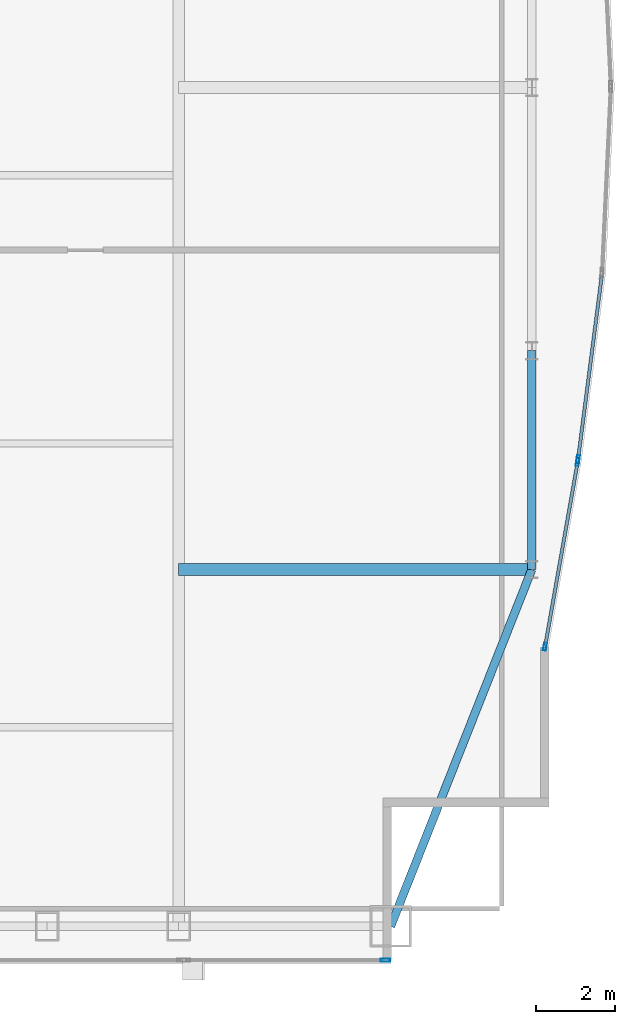
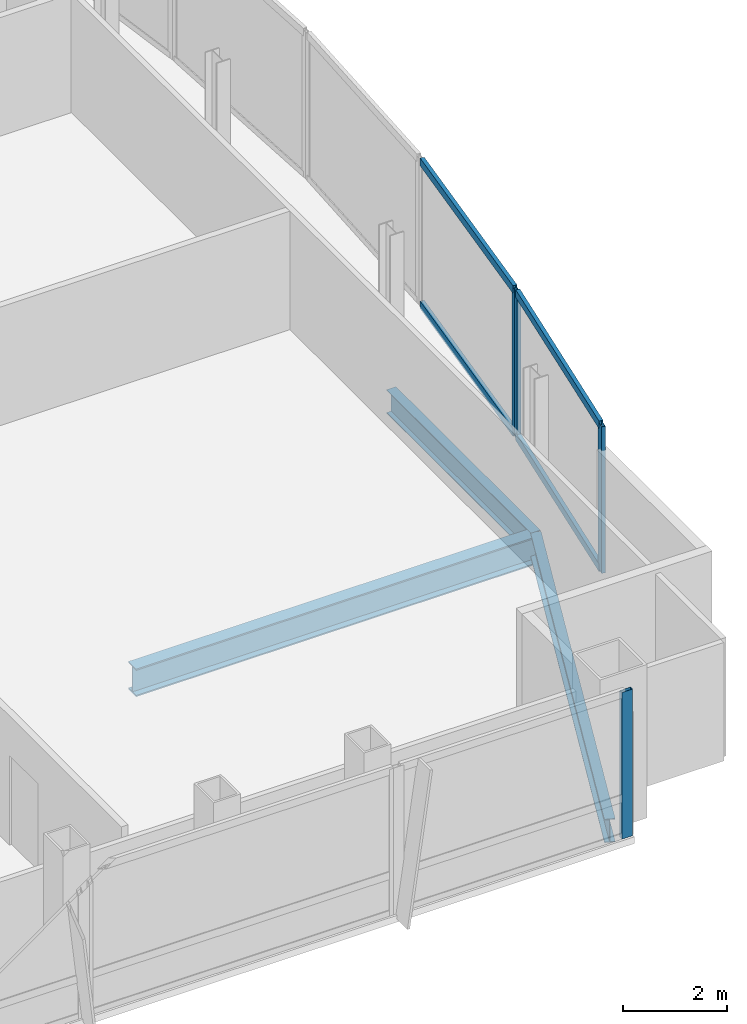
# One storey, part 16 of 30: 8 members, 3 beams, 3 elements without a shape of their own.
"""IFC4 building model written with IfcOpenShell, lengths in metres."""

from ifc_helpers import new_model, si_unit, direction, frame, origin, origin_2d, place, context, subcontext, project, spatial, hollow_rectangle, i_section, extrude, material, material_profile, profile_set, type_object, element, aggregate, save


model = new_model("IFC4")

# Units and contexts
model_context = context("Model", 3, precision=1e-05, world=origin(), true_north=direction((0.0, 1.0)))
body_context = subcontext(model_context, "Body", "Model", "MODEL_VIEW")
ifc_project = project(units=[si_unit("LENGTHUNIT", "METRE"), si_unit("AREAUNIT", "SQUARE_METRE"), si_unit("VOLUMEUNIT", "CUBIC_METRE"), si_unit("PLANEANGLEUNIT", "RADIAN"), si_unit("MASSUNIT", "GRAM", prefix="KILO")], contexts=[model_context])

# Site, building, storey
site_placement = place(None, origin())
site = spatial("IfcSite", under=ifc_project, at=site_placement, CompositionType="ELEMENT")
building_placement = place(site_placement, origin())
building = spatial("IfcBuilding", under=site, at=building_placement, Name="Khoronbel Lancet Exchange", CompositionType="ELEMENT")
storey_placement = place(building_placement, frame((0.0, 0.0, 277.0)))
storey = spatial("IfcBuildingStorey", under=building, at=storey_placement, Name="L71", CompositionType="ELEMENT", Elevation=277.0)

# Beams
ifc_material_1 = material(Name="Steel S355", Category="steel")
ifc_material_profile_1 = material_profile(ifc_material_1, i_section(OverallWidth=0.300048828125, OverallDepth=0.64990234375, WebThickness=0.01611328125, FlangeThickness=0.031005859375, at=origin_2d()), Name="HEB 650")
ifc_profile_set_1 = profile_set([ifc_material_profile_1], Name="Steel S355")
beam_type_1 = type_object("IfcBeamType", Name="BM-BG4", PredefinedType="BEAM", material=ifc_profile_set_1)
beam_1_placement = place(storey_placement, frame((54.675048828125, 19.199951171875, -0.485107421875), z_axis=(1.0, 0.0, 0.0), x_axis=(0.0, 1.0, 0.0)))
element("IfcBeam", 1, at=beam_1_placement, inside=storey, type_object=beam_type_1, Name="Level L71 east lens tie girder LG1E", PredefinedType="BEAM", context=body_context, shape_type="SweptSolid", body=[
    extrude(i_section(OverallWidth=0.300048828125, OverallDepth=0.64990234375, WebThickness=0.01611328125, FlangeThickness=0.031005859375, at=origin_2d()), origin(), (0.0, 0.0, 1.0), 8.954833984375),
])
ifc_material_profile_2 = material_profile(ifc_material_1, i_section(OverallWidth=0.2099609375, OverallDepth=0.550048828125, WebThickness=0.010986328125, FlangeThickness=0.01708984375, at=origin_2d()), Name="IPE 550")
ifc_profile_set_2 = profile_set([ifc_material_profile_2], Name="Steel S355")
beam_type_2 = type_object("IfcBeamType", Name="BM-BSP3", PredefinedType="SPANDREL", material=ifc_profile_set_2)
beam_2_placement = place(storey_placement, frame((60.050048828125, 10.14990234375, -0.43505859375), z_axis=(0.367828403855, 0.929893684954, 0.0), x_axis=(-0.929893684954, 0.367828403855, 0.0)))
element("IfcBeam", 2, at=beam_2_placement, inside=storey, type_object=beam_type_2, Name="Level L71 perimeter spandrel beam SP10", PredefinedType="SPANDREL", context=body_context, shape_type="SweptSolid", body=[
    extrude(i_section(OverallWidth=0.2099609375, OverallDepth=0.550048828125, WebThickness=0.010986328125, FlangeThickness=0.01708984375, at=origin_2d()), origin(), (0.0, 0.0, 1.0), 9.732421875),
])
beam_3_placement = place(storey_placement, frame((63.6298828125, 19.199951171875, -0.43505859375), z_axis=(0.0, 1.0, 0.0), x_axis=(-1.0, 0.0, 0.0)))
element("IfcBeam", 3, at=beam_3_placement, inside=storey, type_object=beam_type_2, Name="Level L71 perimeter spandrel beam SP11", PredefinedType="SPANDREL", context=body_context, shape_type="SweptSolid", body=[
    extrude(i_section(OverallWidth=0.2099609375, OverallDepth=0.550048828125, WebThickness=0.010986328125, FlangeThickness=0.01708984375, at=origin_2d()), origin(), (0.0, 0.0, 1.0), 5.550048828125),
])

# Curtain wall, member
ifc_material_2 = material(Name="Low-E Solar Control Insulating Glass", Category="glass")
curtain_wall_type_1 = type_object("IfcCurtainWallType", Name="CW-3", PredefinedType="NOTDEFINED", material=ifc_material_2)
curtain_wall_1_placement = place(storey_placement, origin())
curtain_wall_1 = element("IfcCurtainWall", 4, at=curtain_wall_1_placement, inside=storey, type_object=curtain_wall_type_1, Name="Unitised curtain wall CW-L71-SEV", PredefinedType="NOTDEFINED")
ifc_material_3 = material(Name="Bronze-Anodised Aluminium 6063-T6", Category="aluminium")
ifc_material_profile_3 = material_profile(ifc_material_3, hollow_rectangle(XDim=0.0849609375, YDim=0.239990234375, WallThickness=0.006103515625, at=origin_2d()), Name="ALU MULLION 85x240")
ifc_profile_set_3 = profile_set([ifc_material_profile_3], Name="Bronze-Anodised Aluminium 6063-T6")
member_type_1 = type_object("IfcMemberType", Name="MEM-CWM1", PredefinedType="MULLION", material=ifc_profile_set_3)
member_1_placement = place(storey_placement, frame((59.91748046875, 9.2900390625, 0.0), z_axis=(0.0, 0.0, 1.0), x_axis=(0.0, 1.0, 0.0)))
member_1 = element("IfcMember", 5, at=member_1_placement, type_object=member_type_1, Name="CW3 mullion 2", PredefinedType="MULLION", context=body_context, shape_type="SweptSolid", body=[
    extrude(hollow_rectangle(XDim=0.0849609375, YDim=0.239990234375, WallThickness=0.006103515625, at=origin_2d()), origin(), (0.0, 0.0, 1.0), 3.43994140625),
])
aggregate(curtain_wall_1, [member_1])

curtain_wall_type_2 = type_object("IfcCurtainWallType", Name="CW-4", PredefinedType="NOTDEFINED", material=ifc_material_2)
curtain_wall_2_placement = place(storey_placement, origin())
curtain_wall_2 = element("IfcCurtainWall", 6, at=curtain_wall_2_placement, inside=storey, type_object=curtain_wall_type_2, Name="Unitised curtain wall CW-L71-E21", PredefinedType="NOTDEFINED")
ifc_material_profile_4 = material_profile(ifc_material_3, hollow_rectangle(XDim=0.074951171875, YDim=0.199951171875, WallThickness=0.0048828125, at=origin_2d()), Name="ALU MULLION 75x200")
ifc_profile_set_4 = profile_set([ifc_material_profile_4], Name="Bronze-Anodised Aluminium 6063-T6")
member_type_2 = type_object("IfcMemberType", Name="MEM-CWM2", PredefinedType="MULLION", material=ifc_profile_set_4)
member_2_placement = place(storey_placement, frame((64.8037109375, 22.000732421875, 0.0), z_axis=(0.0, 0.0, 1.0), x_axis=(0.991761083348, -0.12810134096, 0.0)))
member_2 = element("IfcMember", 7, at=member_2_placement, type_object=member_type_2, Name="CW4 mullion 2", PredefinedType="MULLION", context=body_context, shape_type="SweptSolid", body=[
    extrude(hollow_rectangle(XDim=0.074951171875, YDim=0.199951171875, WallThickness=0.0048828125, at=origin_2d()), origin(), (0.0, 0.0, 1.0), 3.43994140625),
])

# Curtain wall, members
curtain_wall_3_placement = place(storey_placement, origin())
curtain_wall_3 = element("IfcCurtainWall", 8, at=curtain_wall_3_placement, inside=storey, type_object=curtain_wall_type_2, Name="Unitised curtain wall CW-L71-E22", PredefinedType="NOTDEFINED")
member_3_placement = place(storey_placement, frame((64.79248046875, 21.9267578125, 0.0), z_axis=(0.0, 0.0, 1.0), x_axis=(0.984792104729, -0.173736900118, 0.0)))
member_3 = element("IfcMember", 9, at=member_3_placement, type_object=member_type_2, Name="CW4 mullion 1", PredefinedType="MULLION", context=body_context, shape_type="SweptSolid", body=[
    extrude(hollow_rectangle(XDim=0.074951171875, YDim=0.199951171875, WallThickness=0.0048828125, at=origin_2d()), origin(), (0.0, 0.0, 1.0), 3.43994140625),
])
member_4_placement = place(storey_placement, frame((63.966552734375, 17.244873046875, 0.0), z_axis=(0.0, 0.0, 1.0), x_axis=(0.984792104729, -0.173736900118, 0.0)))
member_4 = element("IfcMember", 10, at=member_4_placement, type_object=member_type_2, Name="CW4 mullion 2", PredefinedType="MULLION", context=body_context, shape_type="SweptSolid", body=[
    extrude(hollow_rectangle(XDim=0.074951171875, YDim=0.199951171875, WallThickness=0.0048828125, at=origin_2d()), origin(), (0.0, 0.0, 1.0), 3.43994140625),
])

# Member
ifc_material_profile_5 = material_profile(ifc_material_3, hollow_rectangle(XDim=0.0849609375, YDim=0.179931640625, WallThickness=0.0048828125, at=origin_2d()), Name="ALU TRANSOM 85x180")
ifc_profile_set_5 = profile_set([ifc_material_profile_5], Name="Bronze-Anodised Aluminium 6063-T6")
member_type_3 = type_object("IfcMemberType", Name="MEM-CWT1", PredefinedType="USERDEFINED", material=ifc_profile_set_5)
member_5_placement = place(storey_placement, frame((65.402099609375, 26.633544921875, 0.04248046875), z_axis=(-0.128086691458, -0.991762975449, 0.0), x_axis=(0.991762975449, -0.128086691458, 0.0)))
member_5 = element("IfcMember", 11, at=member_5_placement, type_object=member_type_3, Name="CW4 transom 1.1", ObjectType="TRANSOM", PredefinedType="USERDEFINED", context=body_context, shape_type="SweptSolid", body=[
    extrude(hollow_rectangle(XDim=0.0849609375, YDim=0.179931640625, WallThickness=0.0048828125, at=origin_2d()), origin(), (0.0, 0.0, 1.0), 4.633544921875),
])

member_6_placement = place(storey_placement, frame((65.402099609375, 26.633544921875, 3.3974609375), z_axis=(-0.128086691458, -0.991762975449, 0.0), x_axis=(0.991762975449, -0.128086691458, 0.0)))
member_6 = element("IfcMember", 12, at=member_6_placement, type_object=member_type_3, Name="CW4 transom 1.2", ObjectType="TRANSOM", PredefinedType="USERDEFINED", context=body_context, shape_type="SweptSolid", body=[
    extrude(hollow_rectangle(XDim=0.0849609375, YDim=0.179931640625, WallThickness=0.0048828125, at=origin_2d()), origin(), (0.0, 0.0, 1.0), 4.633544921875),
])

aggregate(curtain_wall_2, [member_2, member_5, member_6])

member_7_placement = place(storey_placement, frame((64.785888671875, 21.8896484375, 0.04248046875), z_axis=(-0.173699012689, -0.984798788073, 0.0), x_axis=(0.984798788073, -0.173699012689, 0.0)))
member_7 = element("IfcMember", 13, at=member_7_placement, type_object=member_type_3, Name="CW4 transom 1.1", ObjectType="TRANSOM", PredefinedType="USERDEFINED", context=body_context, shape_type="SweptSolid", body=[
    extrude(hollow_rectangle(XDim=0.0849609375, YDim=0.179931640625, WallThickness=0.0048828125, at=origin_2d()), origin(), (0.0, 0.0, 1.0), 4.678955078125),
])

member_8_placement = place(storey_placement, frame((64.785888671875, 21.8896484375, 3.3974609375), z_axis=(-0.173699012689, -0.984798788073, 0.0), x_axis=(0.984798788073, -0.173699012689, 0.0)))
member_8 = element("IfcMember", 14, at=member_8_placement, type_object=member_type_3, Name="CW4 transom 1.2", ObjectType="TRANSOM", PredefinedType="USERDEFINED", context=body_context, shape_type="SweptSolid", body=[
    extrude(hollow_rectangle(XDim=0.0849609375, YDim=0.179931640625, WallThickness=0.0048828125, at=origin_2d()), origin(), (0.0, 0.0, 1.0), 4.678955078125),
])

aggregate(curtain_wall_3, [member_3, member_4, member_7, member_8])

save(model, "model.ifc")
